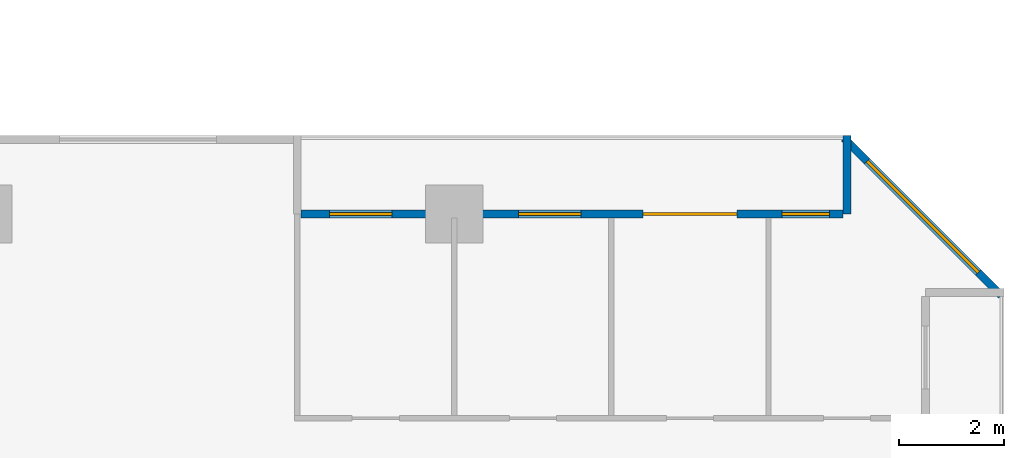
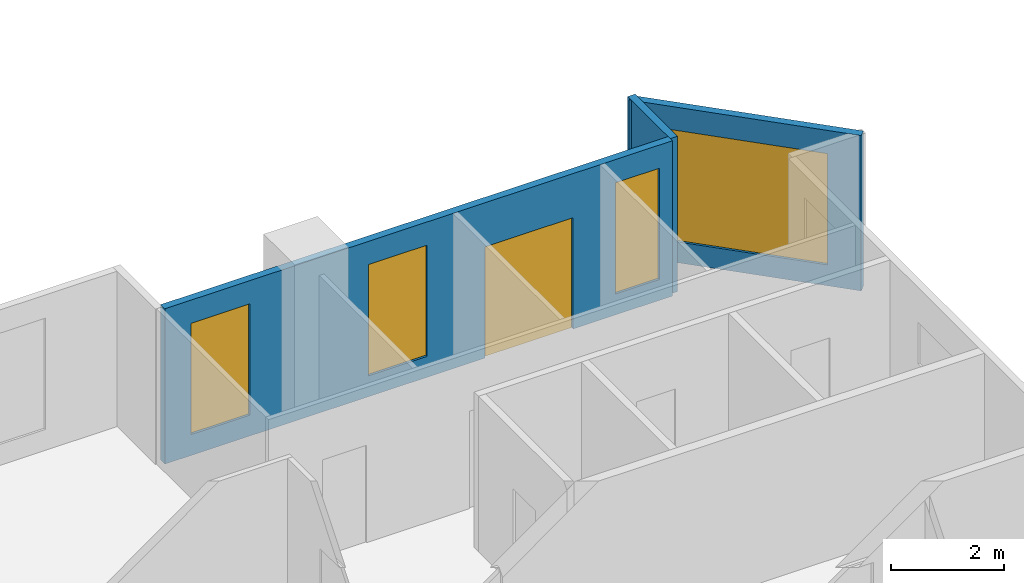
# One storey, part 12 of 15: 4 windows, 3 walls, 1 door, 5 openings.
"""IFC4 building model written with IfcOpenShell, lengths in metres."""

from ifc_helpers import new_model, si_unit, direction, frame, frame_2d, origin, place, context, subcontext, project, spatial, rectangle, extrude, material, layer, layer_set, type_object, element, fill, save


model = new_model("IFC4")

# Units and contexts
model_context = context("Model", 3, precision=1e-05, world=origin(), true_north=direction((0.0, 1.0)))
body_context = subcontext(model_context, "Body", "Model", "MODEL_VIEW")
ifc_project = project(units=[si_unit("LENGTHUNIT", "METRE"), si_unit("AREAUNIT", "SQUARE_METRE"), si_unit("VOLUMEUNIT", "CUBIC_METRE"), si_unit("PLANEANGLEUNIT", "RADIAN"), si_unit("MASSUNIT", "GRAM", prefix="KILO")], contexts=[model_context])

# Site, building, storey
site_placement = place(None, origin())
site = spatial("IfcSite", under=ifc_project, at=site_placement, CompositionType="ELEMENT")
building_placement = place(site_placement, origin())
building = spatial("IfcBuilding", under=site, at=building_placement, Name="Chenar Terraces", CompositionType="ELEMENT")
storey_placement = place(building_placement, frame((0.0, 0.0, 45.14990234375)))
storey = spatial("IfcBuildingStorey", under=building, at=storey_placement, Name="L08", CompositionType="ELEMENT", Elevation=45.14990234375)

# Wall, openings, windows, door
ifc_material_1 = material(Name="Aluminium framed glazing", Category="aluminium")
ifc_layer_1 = layer(ifc_material_1, 0.14990234375)
ifc_layer_set_1 = layer_set([ifc_layer_1], Name="Aluminium framed glazing")
wall_type_1 = type_object("IfcWallType", Name="Glazed loggia back wall 150", PredefinedType="SOLIDWALL", material=ifc_layer_set_1)
wall_1_placement = place(storey_placement, frame((70.425048828125, 24.0, 0.0), z_axis=(0.0, 0.0, 1.0), x_axis=(-1.0, 0.0, 0.0)))
wall_1 = element("IfcWall", 1, at=wall_1_placement, inside=storey, type_object=wall_type_1, Name="Glazed loggia back wall", PredefinedType="SOLIDWALL", context=body_context, shape_type="SweptSolid", body=[
    extrude(rectangle(XDim=10.35009765625, YDim=0.14990234375, at=frame_2d((5.175048828125, 0.0))), origin(), (0.0, 0.0, 1.0), 3.35009765625),
])
opening_1_placement = place(wall_1_placement, frame((0.262451171875, 0.0, 0.449951171875)))
opening_1 = element("IfcOpeningElement", 2, at=opening_1_placement, cuts=wall_1, Name="Opening W90x240", PredefinedType="OPENING", context=body_context, shape_type="SweptSolid", body=[
    extrude(rectangle(XDim=0.89990234375, YDim=2.39990234375, at=frame_2d((0.449951171875, 1.199951171875))), frame((0.0, 0.0849609375, 0.0), z_axis=(0.0, -1.0, 0.0), x_axis=(1.0, 0.0, 0.0)), (0.0, 0.0, 1.0), 0.169921875),
])
opening_2_placement = place(wall_1_placement, frame((2.02490234375, 0.0, 0.0)))
opening_2 = element("IfcOpeningElement", 3, at=opening_2_placement, cuts=wall_1, Name="Opening DL08-G1", PredefinedType="OPENING", context=body_context, shape_type="SweptSolid", body=[
    extrude(rectangle(XDim=1.800048828125, YDim=2.39990234375, at=frame_2d((0.89990234375, 1.199951171875))), frame((0.0, 0.0849609375, 0.0), z_axis=(0.0, -1.0, 0.0), x_axis=(1.0, 0.0, 0.0)), (0.0, 0.0, 1.0), 0.169921875),
])
opening_3_placement = place(wall_1_placement, frame((5.0, 0.0, 0.449951171875)))
opening_3 = element("IfcOpeningElement", 4, at=opening_3_placement, cuts=wall_1, Name="Opening W120x240", PredefinedType="OPENING", context=body_context, shape_type="SweptSolid", body=[
    extrude(rectangle(XDim=1.199951171875, YDim=2.39990234375, at=frame_2d((0.60009765625, 1.199951171875))), frame((0.0, 0.0849609375, 0.0), z_axis=(0.0, -1.0, 0.0), x_axis=(1.0, 0.0, 0.0)), (0.0, 0.0, 1.0), 0.169921875),
])
opening_4_placement = place(wall_1_placement, frame((8.612548828125, 0.0, 0.449951171875)))
opening_4 = element("IfcOpeningElement", 5, at=opening_4_placement, cuts=wall_1, Name="Opening W120x240", PredefinedType="OPENING", context=body_context, shape_type="SweptSolid", body=[
    extrude(rectangle(XDim=1.199951171875, YDim=2.39990234375, at=frame_2d((0.60009765625, 1.199951171875))), frame((0.0, 0.0849609375, 0.0), z_axis=(0.0, -1.0, 0.0), x_axis=(1.0, 0.0, 0.0)), (0.0, 0.0, 1.0), 0.169921875),
])
ifc_material_2 = material(Name="Low emissivity double glazing, aluminium frame", Category="aluminium")
window_type_1 = type_object("IfcWindowType", Name="Fixed light 1200 x 2400", PartitioningType="SINGLE_PANEL", PredefinedType="WINDOW", material=ifc_material_2)
window_1_placement = place(opening_3_placement, origin())
window_1 = element("IfcWindow", 6, at=window_1_placement, inside=storey, type_object=window_type_1, Name="Window", OverallHeight=2.39990234375, OverallWidth=1.199951171875, PartitioningType="SINGLE_PANEL", PredefinedType="WINDOW", context=body_context, shape_type="SweptSolid", body=[
    extrude(rectangle(XDim=1.199951171875, YDim=2.39990234375, at=frame_2d((0.60009765625, 1.199951171875))), frame((0.0, 0.030029296875, 0.0), z_axis=(0.0, -1.0, 0.0), x_axis=(1.0, 0.0, 0.0)), (0.0, 0.0, 1.0), 0.06005859375),
])
fill(opening_3, window_1)
window_2_placement = place(opening_4_placement, origin())
window_2 = element("IfcWindow", 7, at=window_2_placement, inside=storey, type_object=window_type_1, Name="Window", OverallHeight=2.39990234375, OverallWidth=1.199951171875, PartitioningType="SINGLE_PANEL", PredefinedType="WINDOW", context=body_context, shape_type="SweptSolid", body=[
    extrude(rectangle(XDim=1.199951171875, YDim=2.39990234375, at=frame_2d((0.60009765625, 1.199951171875))), frame((0.0, 0.030029296875, 0.0), z_axis=(0.0, -1.0, 0.0), x_axis=(1.0, 0.0, 0.0)), (0.0, 0.0, 1.0), 0.06005859375),
])
fill(opening_4, window_2)
ifc_material_3 = material(Name="Low emissivity double glazing, aluminium frame", Category="aluminium")
window_type_2 = type_object("IfcWindowType", Name="Fixed light 900 x 2400", PartitioningType="SINGLE_PANEL", PredefinedType="WINDOW", material=ifc_material_3)
window_3_placement = place(opening_1_placement, origin())
window_3 = element("IfcWindow", 8, at=window_3_placement, inside=storey, type_object=window_type_2, Name="Window", OverallHeight=2.39990234375, OverallWidth=0.89990234375, PartitioningType="SINGLE_PANEL", PredefinedType="WINDOW", context=body_context, shape_type="SweptSolid", body=[
    extrude(rectangle(XDim=0.89990234375, YDim=2.39990234375, at=frame_2d((0.449951171875, 1.199951171875))), frame((0.0, 0.030029296875, 0.0), z_axis=(0.0, -1.0, 0.0), x_axis=(1.0, 0.0, 0.0)), (0.0, 0.0, 1.0), 0.06005859375),
])
fill(opening_1, window_3)
ifc_material_4 = material(Name="Low emissivity double glazing, aluminium frame", Category="aluminium")
door_type = type_object("IfcDoorType", Name="Loggia glazed double door 1800 x 2400", OperationType="DOUBLE_DOOR_SINGLE_SWING", PredefinedType="DOOR", material=ifc_material_4)
door_placement = place(opening_2_placement, frame((1.800048828125, 0.0, 0.0), z_axis=(0.0, 0.0, 1.0), x_axis=(-1.0, 0.0, 0.0)))
door = element("IfcDoor", 9, at=door_placement, inside=storey, type_object=door_type, Name="Loggia glazed door", OperationType="DOUBLE_DOOR_SINGLE_SWING", OverallHeight=2.39990234375, OverallWidth=1.800048828125, PredefinedType="DOOR", context=body_context, shape_type="SweptSolid", body=[
    extrude(rectangle(XDim=1.800048828125, YDim=2.39990234375, at=frame_2d((0.89990234375, 1.199951171875))), frame((0.0, 0.02490234375, 0.0), z_axis=(0.0, -1.0, 0.0), x_axis=(1.0, 0.0, 0.0)), (0.0, 0.0, 1.0), 0.050048828125),
])
fill(opening_2, door)

# Wall
ifc_material_5 = material(Name="Terracotta cladding on insulated backing", Category="masonry")
ifc_layer_2 = layer(ifc_material_5, 0.14990234375)
ifc_layer_set_2 = layer_set([ifc_layer_2], Name="Terracotta cladding on insulated backing")
wall_type_2 = type_object("IfcWallType", Name="Loggia return wall 150", PredefinedType="SOLIDWALL", material=ifc_layer_set_2)
wall_2_placement = place(storey_placement, frame((70.5, 25.5, 0.0), z_axis=(0.0, 0.0, 1.0), x_axis=(0.0, -1.0, 0.0)))
element("IfcWall", 10, at=wall_2_placement, inside=storey, type_object=wall_type_2, Name="Loggia return wall", PredefinedType="SOLIDWALL", context=body_context, shape_type="SweptSolid", body=[
    extrude(rectangle(XDim=1.5, YDim=0.14990234375, at=frame_2d((0.75, 0.0))), origin(), (0.0, 0.0, 1.0), 3.35009765625),
])

# Wall, opening, window
ifc_material_6 = material(Name="Terracotta cladding on insulated backing", Category="masonry")
ifc_layer_3 = layer(ifc_material_6, 0.14990234375)
ifc_layer_set_3 = layer_set([ifc_layer_3], Name="Terracotta cladding on insulated backing")
wall_type_3 = type_object("IfcWallType", Name="Terracotta rainscreen wall 150", PredefinedType="SOLIDWALL", material=ifc_layer_set_3)
wall_3_placement = place(storey_placement, frame((73.447021484375, 22.447021484375, 0.0), z_axis=(0.0, 0.0, 1.0), x_axis=(-0.707106781187, 0.707106781187, 0.0)))
wall_3 = element("IfcWall", 11, at=wall_3_placement, inside=storey, type_object=wall_type_3, Name="Terracotta rainscreen wall", PredefinedType="SOLIDWALL", context=body_context, shape_type="SweptSolid", body=[
    extrude(rectangle(XDim=4.24267578125, YDim=0.14990234375, at=frame_2d((2.121337890625, 0.0))), origin(), (0.0, 0.0, 1.0), 3.35009765625),
])
opening_5_placement = place(wall_3_placement, frame((0.621337890625, 0.0, 0.449951171875)))
opening_5 = element("IfcOpeningElement", 12, at=opening_5_placement, cuts=wall_3, Name="Opening W300x240", PredefinedType="OPENING", context=body_context, shape_type="SweptSolid", body=[
    extrude(rectangle(XDim=3.0, YDim=2.39990234375, at=frame_2d((1.5, 1.199951171875))), frame((0.0, 0.0849609375, 0.0), z_axis=(0.0, -1.0, 0.0), x_axis=(1.0, 0.0, 0.0)), (0.0, 0.0, 1.0), 0.169921875),
])
ifc_material_7 = material(Name="Low emissivity double glazing, aluminium frame", Category="aluminium")
window_type_3 = type_object("IfcWindowType", Name="Fixed light 3000 x 2400", PartitioningType="SINGLE_PANEL", PredefinedType="WINDOW", material=ifc_material_7)
window_4_placement = place(opening_5_placement, origin())
window_4 = element("IfcWindow", 13, at=window_4_placement, inside=storey, type_object=window_type_3, Name="Window", OverallHeight=2.39990234375, OverallWidth=3.0, PartitioningType="SINGLE_PANEL", PredefinedType="WINDOW", context=body_context, shape_type="SweptSolid", body=[
    extrude(rectangle(XDim=3.0, YDim=2.39990234375, at=frame_2d((1.5, 1.199951171875))), frame((0.0, 0.030029296875, 0.0), z_axis=(0.0, -1.0, 0.0), x_axis=(1.0, 0.0, 0.0)), (0.0, 0.0, 1.0), 0.06005859375),
])
fill(opening_5, window_4)

save(model, "model.ifc")
